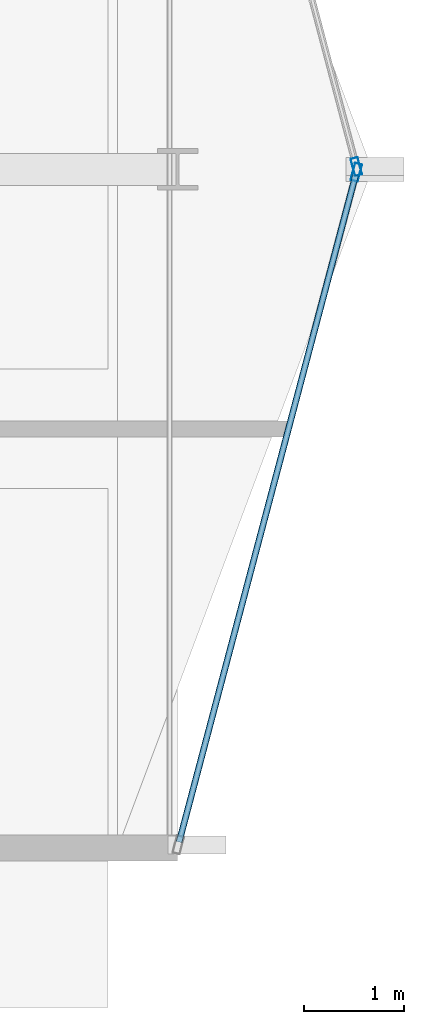
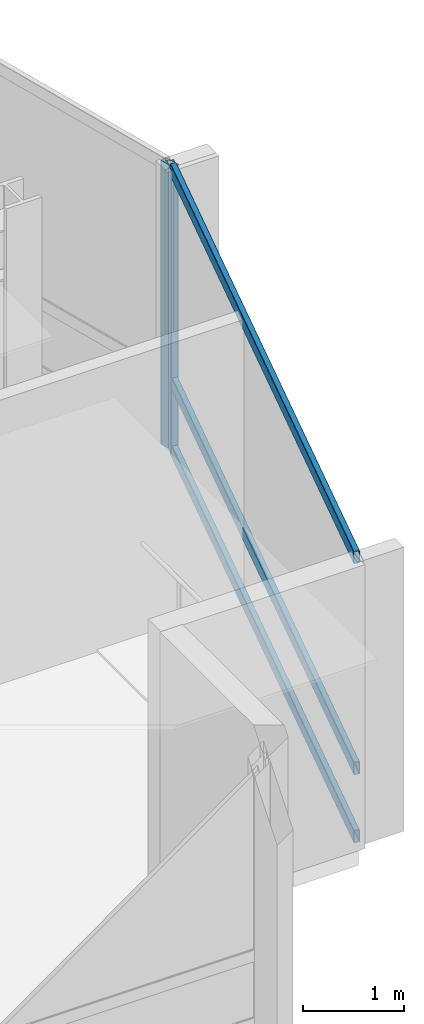
# One storey, part 11 of 27: 5 members, 2 elements without a shape of their own.
"""IFC4 building model written with IfcOpenShell, lengths in metres."""

from ifc_helpers import new_model, si_unit, direction, frame, origin, origin_2d, place, context, subcontext, project, spatial, hollow_rectangle, extrude, material, layer, layer_set, material_profile, profile_set, type_object, element, aggregate, save


model = new_model("IFC4")

# Units and contexts
model_context = context("Model", 3, precision=1e-05, world=origin(), true_north=direction((0.0, 1.0)))
body_context = subcontext(model_context, "Body", "Model", "MODEL_VIEW")
ifc_project = project(units=[si_unit("LENGTHUNIT", "METRE"), si_unit("AREAUNIT", "SQUARE_METRE"), si_unit("VOLUMEUNIT", "CUBIC_METRE"), si_unit("PLANEANGLEUNIT", "RADIAN"), si_unit("MASSUNIT", "GRAM", prefix="KILO")], contexts=[model_context])

# Site, building, storey
site_placement = place(None, origin())
site = spatial("IfcSite", under=ifc_project, at=site_placement, CompositionType="ELEMENT")
building_placement = place(site_placement, origin())
building = spatial("IfcBuilding", under=site, at=building_placement, Name="Solvaryn Broadcast Tower", CompositionType="ELEMENT")
storey_placement = place(building_placement, frame((0.0, 0.0, 174.199951171875)))
storey = spatial("IfcBuildingStorey", under=building, at=storey_placement, Name="L43", CompositionType="ELEMENT", Elevation=174.199951171875)

# Curtain wall, member
ifc_material_1 = material(Name="Aluminium and Terracotta Unitised Curtain Wall", Category="masonry")
ifc_layer = layer(ifc_material_1, 0.199951171875)
ifc_layer_set = layer_set([ifc_layer], Name="CW-SYS2-LOWMID")
curtain_wall_type = type_object("IfcCurtainWallType", Name="CW-SYS2-LOWMID", PredefinedType="NOTDEFINED", material=ifc_layer_set)
curtain_wall_1_placement = place(storey_placement, origin())
curtain_wall_1 = element("IfcCurtainWall", 1, at=curtain_wall_1_placement, inside=storey, type_object=curtain_wall_type, Name="L43 Curtain Wall ET1", PredefinedType="NOTDEFINED")
ifc_material_2 = material(Name="Anodised Aluminium 6063-T6", Category="aluminium")
ifc_material_profile_1 = material_profile(ifc_material_2, hollow_rectangle(XDim=0.074951171875, YDim=0.179931640625, WallThickness=0.00390625, InnerFilletRadius=0.00390625, OuterFilletRadius=0.008056640625, at=origin_2d()))
ifc_profile_set_1 = profile_set([ifc_material_profile_1], Name="Anodised Aluminium 6063-T6")
member_type_1 = type_object("IfcMemberType", Name="CW-MUL-180", PredefinedType="MULLION", material=ifc_profile_set_1)
member_1_placement = place(storey_placement, frame((55.792236328125, 18.029052734375, 0.0), z_axis=(0.0, 0.0, 1.0), x_axis=(0.966705227863, 0.25589256031, 0.0)))
member_1 = element("IfcMember", 2, at=member_1_placement, type_object=member_type_1, Name="CWS2 mullion 2", PredefinedType="MULLION", context=body_context, shape_type="SweptSolid", body=[
    extrude(hollow_rectangle(XDim=0.074951171875, YDim=0.179931640625, WallThickness=0.00390625, InnerFilletRadius=0.00390625, OuterFilletRadius=0.008056640625, at=origin_2d()), origin(), (0.0, 0.0, 1.0), 3.420166015625),
])
aggregate(curtain_wall_1, [member_1])

# Curtain wall, members
curtain_wall_2_placement = place(storey_placement, origin())
curtain_wall_2 = element("IfcCurtainWall", 3, at=curtain_wall_2_placement, inside=storey, type_object=curtain_wall_type, Name="L43 Curtain Wall ET2", PredefinedType="NOTDEFINED")
member_2_placement = place(storey_placement, frame((55.792236328125, 17.970947265625, 0.0), z_axis=(0.0, 0.0, 1.0), x_axis=(0.966705227863, -0.25589256031, 0.0)))
member_2 = element("IfcMember", 4, at=member_2_placement, type_object=member_type_1, Name="CWS2 mullion 1", PredefinedType="MULLION", context=body_context, shape_type="SweptSolid", body=[
    extrude(hollow_rectangle(XDim=0.074951171875, YDim=0.179931640625, WallThickness=0.00390625, InnerFilletRadius=0.00390625, OuterFilletRadius=0.008056640625, at=origin_2d()), origin(), (0.0, 0.0, 1.0), 3.420166015625),
])
ifc_material_3 = material(Name="Anodised Aluminium 6063-T6", Category="aluminium")
ifc_material_profile_2 = material_profile(ifc_material_3, hollow_rectangle(XDim=0.06494140625, YDim=0.14990234375, WallThickness=0.00390625, InnerFilletRadius=0.00390625, OuterFilletRadius=0.008056640625, at=origin_2d()))
ifc_profile_set_2 = profile_set([ifc_material_profile_2], Name="Anodised Aluminium 6063-T6")
member_type_2 = type_object("IfcMemberType", Name="CW-TRN-150", PredefinedType="USERDEFINED", material=ifc_profile_set_2)
member_3_placement = place(storey_placement, frame((55.78466796875, 17.94189453125, 0.030029296875), z_axis=(-0.255897413051, -0.966703943301, 0.0), x_axis=(0.966703943301, -0.255897413051, 0.0)))
member_3 = element("IfcMember", 5, at=member_3_placement, type_object=member_type_2, Name="CWS2 transom 1.1", ObjectType="TRANSOM", PredefinedType="USERDEFINED", context=body_context, shape_type="SweptSolid", body=[
    extrude(hollow_rectangle(XDim=0.06494140625, YDim=0.14990234375, WallThickness=0.00390625, InnerFilletRadius=0.00390625, OuterFilletRadius=0.008056640625, at=origin_2d()), origin(), (0.0, 0.0, 1.0), 6.9140625),
])
member_4_placement = place(storey_placement, frame((55.78466796875, 17.94189453125, 0.85009765625), z_axis=(-0.255897413051, -0.966703943301, 0.0), x_axis=(0.966703943301, -0.255897413051, 0.0)))
member_4 = element("IfcMember", 6, at=member_4_placement, type_object=member_type_2, Name="CWS2 transom 1.2", ObjectType="TRANSOM", PredefinedType="USERDEFINED", context=body_context, shape_type="SweptSolid", body=[
    extrude(hollow_rectangle(XDim=0.06494140625, YDim=0.14990234375, WallThickness=0.00390625, InnerFilletRadius=0.00390625, OuterFilletRadius=0.008056640625, at=origin_2d()), origin(), (0.0, 0.0, 1.0), 6.9140625),
])
member_5_placement = place(storey_placement, frame((55.78466796875, 17.94189453125, 3.39013671875), z_axis=(-0.255897413051, -0.966703943301, 0.0), x_axis=(0.966703943301, -0.255897413051, 0.0)))
member_5 = element("IfcMember", 7, at=member_5_placement, type_object=member_type_2, Name="CWS2 transom 1.3", ObjectType="TRANSOM", PredefinedType="USERDEFINED", context=body_context, shape_type="SweptSolid", body=[
    extrude(hollow_rectangle(XDim=0.06494140625, YDim=0.14990234375, WallThickness=0.00390625, InnerFilletRadius=0.00390625, OuterFilletRadius=0.008056640625, at=origin_2d()), origin(), (0.0, 0.0, 1.0), 6.9140625),
])
aggregate(curtain_wall_2, [member_2, member_3, member_4, member_5])

save(model, "model.ifc")
